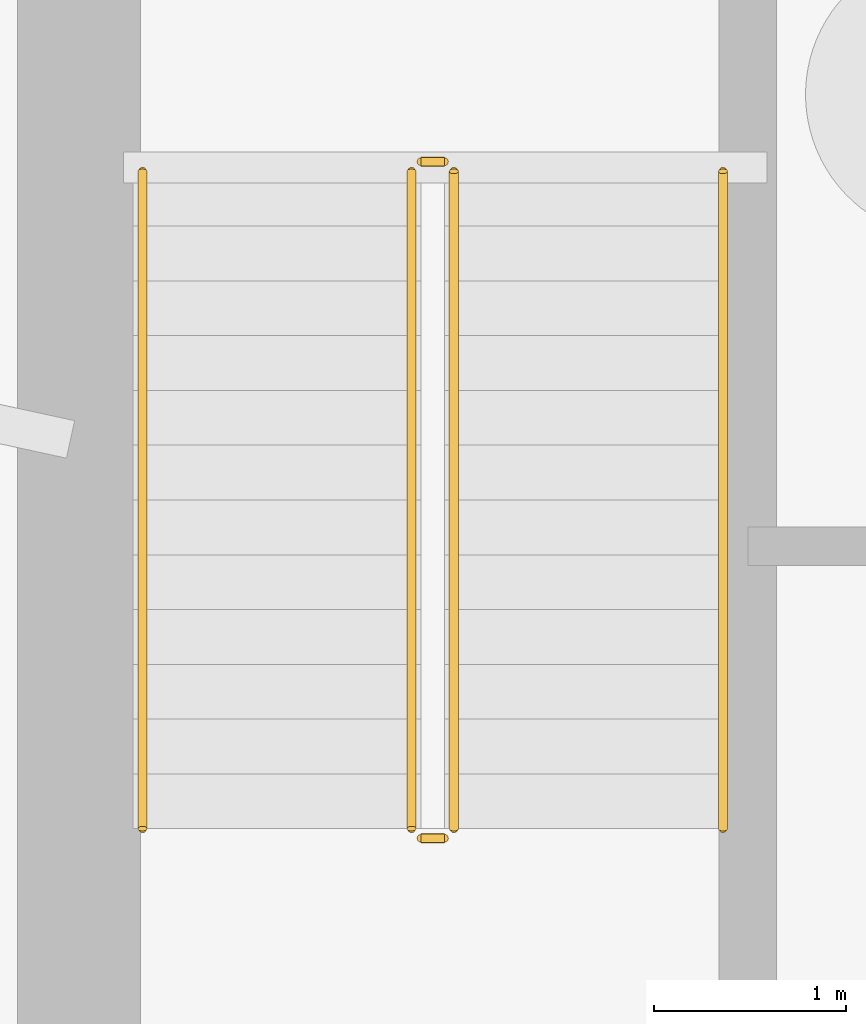
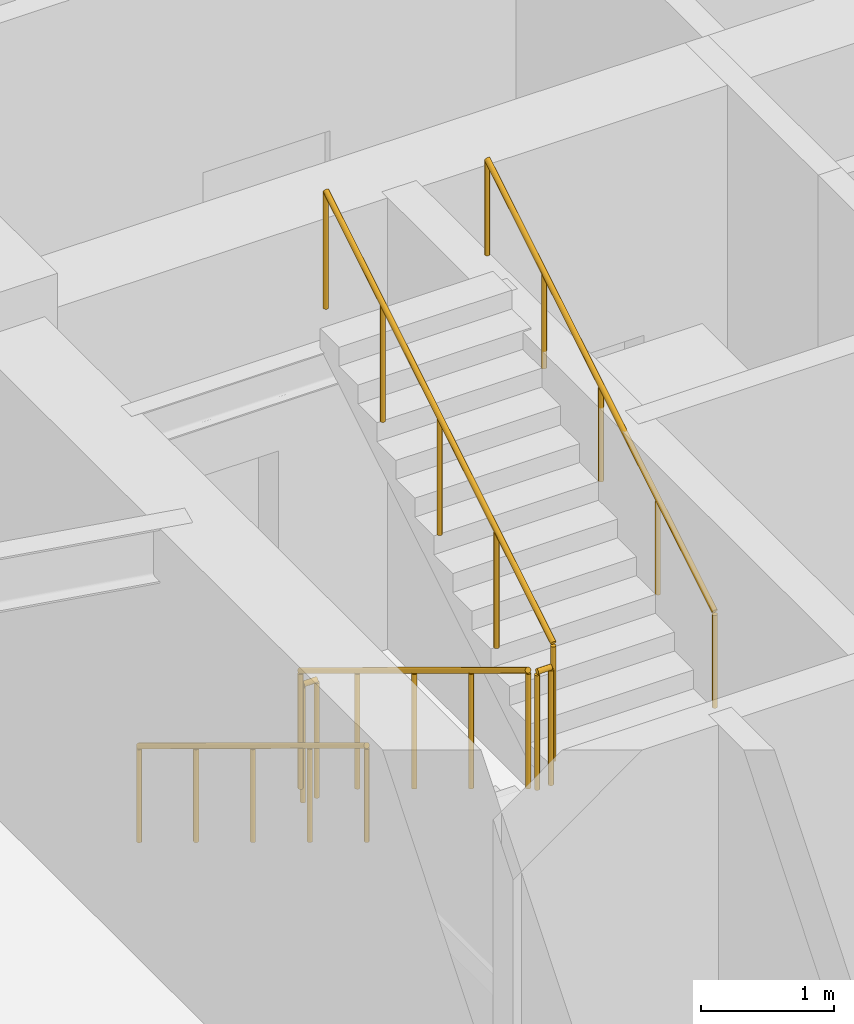
# One storey, part 13 of 15: 6 railings.
"""IFC4 building model written with IfcOpenShell, lengths in metres."""

from ifc_helpers import new_model, si_unit, direction, frame, origin, origin_2d, place, context, subcontext, project, spatial, circle, extrude, material, type_object, element, save


model = new_model("IFC4")

# Units and contexts
model_context = context("Model", 3, precision=1e-05, world=origin(), true_north=direction((0.0, 1.0)))
body_context = subcontext(model_context, "Body", "Model", "MODEL_VIEW")
ifc_project = project(units=[si_unit("LENGTHUNIT", "METRE"), si_unit("AREAUNIT", "SQUARE_METRE"), si_unit("VOLUMEUNIT", "CUBIC_METRE"), si_unit("PLANEANGLEUNIT", "RADIAN"), si_unit("MASSUNIT", "GRAM", prefix="KILO")], contexts=[model_context])

# Site, building, storey
site_placement = place(None, origin())
site = spatial("IfcSite", under=ifc_project, at=site_placement, CompositionType="ELEMENT")
building_placement = place(site_placement, origin())
building = spatial("IfcBuilding", under=site, at=building_placement, Name="Qobustan Lattice House", CompositionType="ELEMENT")
storey_placement = place(building_placement, frame((0.0, 0.0, -9.0)))
storey = spatial("IfcBuildingStorey", under=building, at=storey_placement, Name="B02", CompositionType="ELEMENT", Elevation=-9.0)

# Railings
ifc_material_1 = material(Name="Brushed stainless steel handrail", Category="steel")
railing_type_1 = type_object("IfcRailingType", Name="RAL-HR-920", PredefinedType="HANDRAIL", material=ifc_material_1)
railing_1_placement = place(storey_placement, frame((-18.199951171875, 3.5, 0.173095703125)))
element("IfcRailing", 1, at=railing_1_placement, inside=storey, type_object=railing_type_1, Name="B02 ST-W1 stair handrail 1", PredefinedType="HANDRAIL", context=body_context, shape_type="SweptSolid", body=[
    extrude(circle(Radius=0.02392578125, at=origin_2d()), frame((0.0, 0.0, 0.8759765625), z_axis=(0.0, -0.854729506542, 0.519073665916), x_axis=(1.0, 0.0, 0.0)), (0.0, 0.0, 1.0), 4.001220703125),
    extrude(circle(Radius=0.02099609375, at=origin_2d()), origin(), (0.0, 0.0, 1.0), 0.851806640625),
    extrude(circle(Radius=0.02099609375, at=origin_2d()), frame((0.0, -0.85498046875, 0.519287109375)), (0.0, 0.0, 1.0), 0.851806640625),
    extrude(circle(Radius=0.02099609375, at=origin_2d()), frame((0.0, -1.7099609375, 1.03857421875)), (0.0, 0.0, 1.0), 0.851806640625),
    extrude(circle(Radius=0.02099609375, at=origin_2d()), frame((0.0, -2.56494140625, 1.5576171875)), (0.0, 0.0, 1.0), 0.851806640625),
    extrude(circle(Radius=0.02099609375, at=origin_2d()), frame((0.0, -3.419921875, 2.076904296875)), (0.0, 0.0, 1.0), 0.851806640625),
])
railing_2_placement = place(storey_placement, frame((-15.179931640625, 0.080078125, 2.423095703125)))
element("IfcRailing", 2, at=railing_2_placement, inside=storey, type_object=railing_type_1, Name="B02 ST-W1 stair handrail 2", PredefinedType="HANDRAIL", context=body_context, shape_type="SweptSolid", body=[
    extrude(circle(Radius=0.02392578125, at=origin_2d()), frame((0.0, 0.0, 0.8759765625), z_axis=(0.0, 0.854729506542, 0.519073665916), x_axis=(-1.0, 0.0, 0.0)), (0.0, 0.0, 1.0), 4.001220703125),
    extrude(circle(Radius=0.02099609375, at=origin_2d()), origin(), (0.0, 0.0, 1.0), 0.851806640625),
    extrude(circle(Radius=0.02099609375, at=origin_2d()), frame((0.0, 0.85498046875, 0.519287109375)), (0.0, 0.0, 1.0), 0.851806640625),
    extrude(circle(Radius=0.02099609375, at=origin_2d()), frame((0.0, 1.7099609375, 1.03857421875)), (0.0, 0.0, 1.0), 0.851806640625),
    extrude(circle(Radius=0.02099609375, at=origin_2d()), frame((0.0, 2.56494140625, 1.5576171875)), (0.0, 0.0, 1.0), 0.851806640625),
    extrude(circle(Radius=0.02099609375, at=origin_2d()), frame((0.0, 3.419921875, 2.076904296875)), (0.0, 0.0, 1.0), 0.851806640625),
])
ifc_material_2 = material(Name="Painted galvanized steel guardrail", Category="steel")
railing_type_2 = type_object("IfcRailingType", Name="RAL-STG-1150", PredefinedType="GUARDRAIL", material=ifc_material_2)
railing_3_placement = place(storey_placement, frame((-16.800048828125, 3.5, 0.173095703125)))
element("IfcRailing", 3, at=railing_3_placement, inside=storey, type_object=railing_type_2, Name="B02 ST-W1 stair guard 1", PredefinedType="GUARDRAIL", context=body_context, shape_type="SweptSolid", body=[
    extrude(circle(Radius=0.02392578125, at=origin_2d()), frame((0.0, 0.0, 1.076171875), z_axis=(0.0, -0.854729506542, 0.519073665916), x_axis=(1.0, 0.0, 0.0)), (0.0, 0.0, 1.0), 4.001220703125),
    extrude(circle(Radius=0.02099609375, at=origin_2d()), origin(), (0.0, 0.0, 1.0), 1.052001953125),
    extrude(circle(Radius=0.02099609375, at=origin_2d()), frame((0.0, -0.85498046875, 0.519287109375)), (0.0, 0.0, 1.0), 1.052001953125),
    extrude(circle(Radius=0.02099609375, at=origin_2d()), frame((0.0, -1.7099609375, 1.03857421875)), (0.0, 0.0, 1.0), 1.052001953125),
    extrude(circle(Radius=0.02099609375, at=origin_2d()), frame((0.0, -2.56494140625, 1.5576171875)), (0.0, 0.0, 1.0), 1.052001953125),
    extrude(circle(Radius=0.02099609375, at=origin_2d()), frame((0.0, -3.419921875, 2.076904296875)), (0.0, 0.0, 1.0), 1.052001953125),
])
railing_4_placement = place(storey_placement, frame((-16.75, 0.030029296875, 2.25)))
element("IfcRailing", 4, at=railing_4_placement, inside=storey, type_object=railing_type_2, Name="B02 ST-W1 stair guard 2", PredefinedType="GUARDRAIL", context=body_context, shape_type="SweptSolid", body=[
    extrude(circle(Radius=0.02392578125, at=origin_2d()), frame((0.0, 0.0, 1.076171875), z_axis=(1.0, 0.0, 0.0), x_axis=(0.0, 1.0, 0.0)), (0.0, 0.0, 1.0), 0.1201171875),
    extrude(circle(Radius=0.02099609375, at=origin_2d()), origin(), (0.0, 0.0, 1.0), 1.052001953125),
    extrude(circle(Radius=0.02099609375, at=origin_2d()), frame((0.1201171875, 0.0, 0.0)), (0.0, 0.0, 1.0), 1.052001953125),
])
railing_5_placement = place(storey_placement, frame((-16.580078125, 0.080078125, 2.423095703125)))
element("IfcRailing", 5, at=railing_5_placement, inside=storey, type_object=railing_type_2, Name="B02 ST-W1 stair guard 3", PredefinedType="GUARDRAIL", context=body_context, shape_type="SweptSolid", body=[
    extrude(circle(Radius=0.02392578125, at=origin_2d()), frame((0.0, 0.0, 1.076171875), z_axis=(0.0, 0.854729506542, 0.519073665916), x_axis=(-1.0, 0.0, 0.0)), (0.0, 0.0, 1.0), 4.001220703125),
    extrude(circle(Radius=0.02099609375, at=origin_2d()), origin(), (0.0, 0.0, 1.0), 1.052001953125),
    extrude(circle(Radius=0.02099609375, at=origin_2d()), frame((0.0, 0.85498046875, 0.519287109375)), (0.0, 0.0, 1.0), 1.052001953125),
    extrude(circle(Radius=0.02099609375, at=origin_2d()), frame((0.0, 1.7099609375, 1.03857421875)), (0.0, 0.0, 1.0), 1.052001953125),
    extrude(circle(Radius=0.02099609375, at=origin_2d()), frame((0.0, 2.56494140625, 1.5576171875)), (0.0, 0.0, 1.0), 1.052001953125),
    extrude(circle(Radius=0.02099609375, at=origin_2d()), frame((0.0, 3.419921875, 2.076904296875)), (0.0, 0.0, 1.0), 1.052001953125),
])
railing_6_placement = place(storey_placement, frame((-16.75, 3.550048828125, 0.0)))
element("IfcRailing", 6, at=railing_6_placement, inside=storey, type_object=railing_type_2, Name="B02 ST-W1 stair guard 4", PredefinedType="GUARDRAIL", context=body_context, shape_type="SweptSolid", body=[
    extrude(circle(Radius=0.02392578125, at=origin_2d()), frame((0.0, 0.0, 1.076171875), z_axis=(1.0, 0.0, 0.0), x_axis=(0.0, 1.0, 0.0)), (0.0, 0.0, 1.0), 0.1201171875),
    extrude(circle(Radius=0.02099609375, at=origin_2d()), origin(), (0.0, 0.0, 1.0), 1.052001953125),
    extrude(circle(Radius=0.02099609375, at=origin_2d()), frame((0.1201171875, 0.0, 0.0)), (0.0, 0.0, 1.0), 1.052001953125),
])

save(model, "model.ifc")
